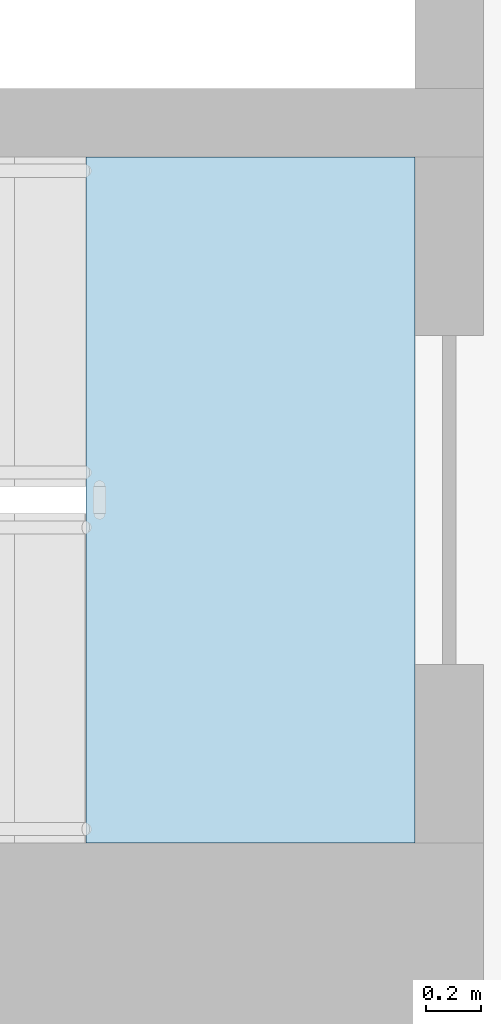
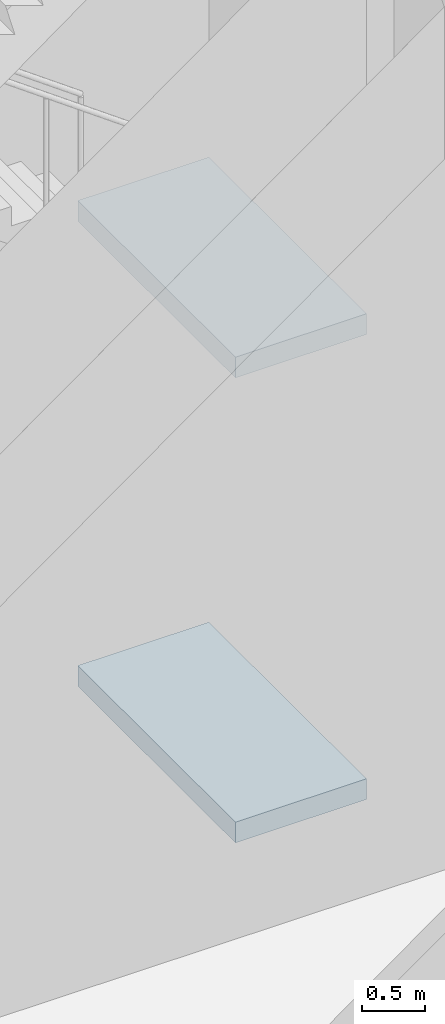
# One storey, part 4 of 35: 2 slabs, 1 element without a shape of its own.
"""IFC4 building model written with IfcOpenShell, lengths in metres."""

from ifc_helpers import new_model, si_unit, direction, frame, origin, place, context, subcontext, project, spatial, polyline, outline, extrude, material, layer, layer_set, type_object, element, aggregate, save


model = new_model("IFC4")

# Units and contexts
model_context = context("Model", 3, precision=1e-05, world=origin(), true_north=direction((0.0, 1.0)))
body_context = subcontext(model_context, "Body", "Model", "MODEL_VIEW")
ifc_project = project(units=[si_unit("LENGTHUNIT", "METRE"), si_unit("AREAUNIT", "SQUARE_METRE"), si_unit("VOLUMEUNIT", "CUBIC_METRE"), si_unit("PLANEANGLEUNIT", "RADIAN"), si_unit("MASSUNIT", "GRAM", prefix="KILO")], contexts=[model_context])

# Site, building, storey
site_placement = place(None, origin())
site = spatial("IfcSite", under=ifc_project, at=site_placement, CompositionType="ELEMENT")
building_placement = place(site_placement, origin())
building = spatial("IfcBuilding", under=site, at=building_placement, Name="Sahrelin Media Tower", CompositionType="ELEMENT")
storey_placement = place(building_placement, frame((0.0, 0.0, 8.0)))
storey = spatial("IfcBuildingStorey", under=building, at=storey_placement, Name="L01", CompositionType="ELEMENT", Elevation=8.0)

# Stair, slabs
ifc_material = material(Name="Concrete C40/50", Category="concrete")
stair_type = type_object("IfcStairType", Name="Exit stair 1200", PredefinedType="HALF_TURN_STAIR", material=ifc_material)
stair_placement = place(storey_placement, origin())
stair = element("IfcStair", 1, at=stair_placement, inside=storey, type_object=stair_type, Name="L01 Exit stair ST2", PredefinedType="HALF_TURN_STAIR")
ifc_layer = layer(ifc_material, 0.199951171875)
ifc_layer_set = layer_set([ifc_layer], Name="Stair landing 200")
slab_type = type_object("IfcSlabType", Name="Stair landing 200", PredefinedType="LANDING", material=ifc_layer_set)
slab_1_placement = place(storey_placement, frame((0.0, 0.0, 4.300048828125)))
slab_1 = element("IfcSlab", 2, at=slab_1_placement, type_object=slab_type, Name="ST2 landing 2", PredefinedType="LANDING", context=body_context, shape_type="SweptSolid", body=[
    extrude(outline(polyline([(8.875, -4.10009765625), (7.675048828125, -4.10009765625), (7.675048828125, -6.60009765625), (8.875, -6.60009765625), (8.875, -4.10009765625)])), origin(), (0.0, 0.0, 1.0), 0.199951171875),
])
slab_2_placement = place(storey_placement, frame((0.0, 0.0, -0.199951171875)))
slab_2 = element("IfcSlab", 3, at=slab_2_placement, type_object=slab_type, Name="ST2 landing 4", PredefinedType="LANDING", context=body_context, shape_type="SweptSolid", body=[
    extrude(outline(polyline([(8.875, -4.10009765625), (7.675048828125, -4.10009765625), (7.675048828125, -6.60009765625), (8.875, -6.60009765625), (8.875, -4.10009765625)])), origin(), (0.0, 0.0, 1.0), 0.199951171875),
])
aggregate(stair, [slab_1, slab_2])

save(model, "model.ifc")
